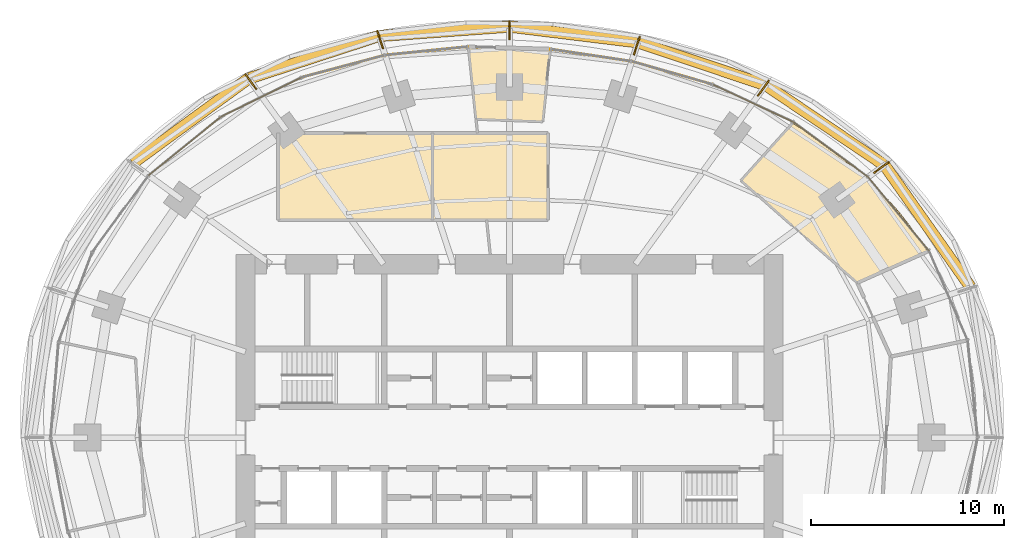
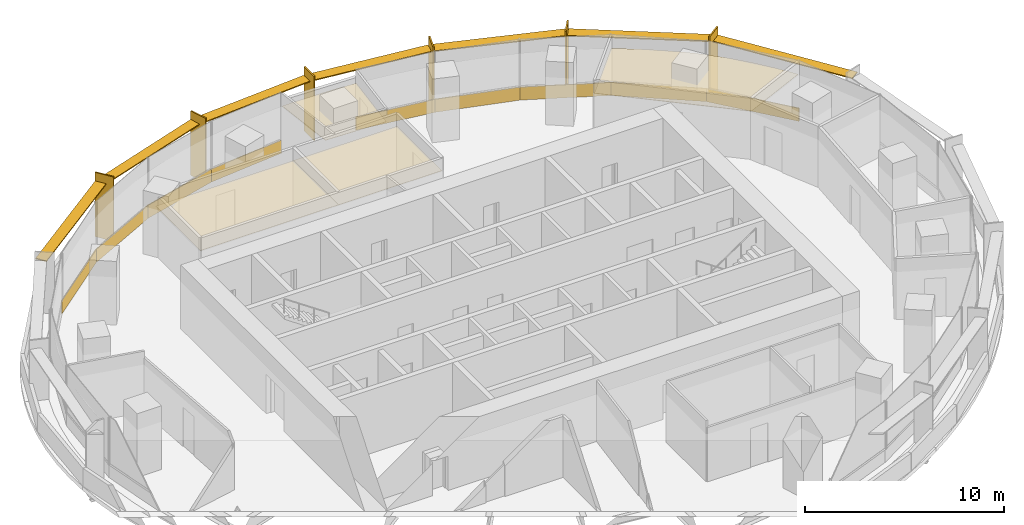
# One storey, part 17 of 17: 13 coverings, 13 shading devices.
"""IFC4 building model written with IfcOpenShell, lengths in metres."""

from ifc_helpers import new_model, si_unit, direction, frame, origin, origin_2d, place, context, subcontext, project, spatial, polyline, rectangle, outline, extrude, material, layer, layer_set, type_object, element, save


model = new_model("IFC4")

# Units and contexts
model_context = context("Model", 3, precision=1e-05, world=origin(), true_north=direction((0.0, 1.0)))
body_context = subcontext(model_context, "Body", "Model", "MODEL_VIEW")
ifc_project = project(units=[si_unit("LENGTHUNIT", "METRE"), si_unit("AREAUNIT", "SQUARE_METRE"), si_unit("VOLUMEUNIT", "CUBIC_METRE"), si_unit("PLANEANGLEUNIT", "RADIAN"), si_unit("MASSUNIT", "GRAM", prefix="KILO")], contexts=[model_context])

# Site, building, storey
site_placement = place(None, origin())
site = spatial("IfcSite", under=ifc_project, at=site_placement, CompositionType="ELEMENT")
building_placement = place(site_placement, origin())
building = spatial("IfcBuilding", under=site, at=building_placement, Name="Marramba Exchange Tower", CompositionType="ELEMENT")
storey_placement = place(building_placement, frame((0.0, 0.0, 172.10009765625)))
storey = spatial("IfcBuildingStorey", under=building, at=storey_placement, Name="L41", CompositionType="ELEMENT", Elevation=172.10009765625)

# Shading devices
ifc_material_1 = material(Name="Aluminium blade, timber-look bronze finish", Category="wood")
ifc_layer_1 = layer(ifc_material_1, 0.080078125)
ifc_layer_set_1 = layer_set([ifc_layer_1], Name="Floor-edge blade 1000x80")
shading_device_type_1 = type_object("IfcShadingDeviceType", Name="Floor-edge blade 1000x80", PredefinedType="USERDEFINED", material=ifc_layer_set_1)
for number, where, z_axis, x_axis, name in (
    (1, (19.298828125, 14.021484375, -0.199951171875), (0.0, 0.0, 1.0), (0.809016994375, 0.587785252292, 0.0), "Floor-edge blade FB1 L41 TC03"),
    (2, (13.176513671875, 18.135986328125, -0.199951171875), (0.0, 0.0, 1.0), (0.587785252292, 0.809016994375, 0.0), "Floor-edge blade FB1 L41 TC04"),
    (3, (6.605712890625, 20.330078125, -0.199951171875), (0.0, 0.0, 1.0), (0.309016994375, 0.951056516295, 0.0), "Floor-edge blade FB1 L41 TC05"),
    (4, (0.0, 21.13623046875, -0.199951171875), (0.0, 0.0, 1.0), (0.0, 1.0, 0.0), "Floor-edge blade FB1 L41 TC06"),
    (5, (-6.7119140625, 20.657470703125, -0.199951171875), (0.0, 0.0, 1.0), (-0.309016994375, 0.951056516295, 0.0), "Floor-edge blade FB1 L41 TC07"),
    (6, (-13.422607421875, 18.474609375, -0.199951171875), (0.0, 0.0, 1.0), (-0.587785252292, 0.809016994375, 0.0), "Floor-edge blade FB1 L41 TC08"),
):
    element("IfcShadingDevice", number, at=place(storey_placement, frame(where, z_axis=z_axis, x_axis=x_axis)), inside=storey, type_object=shading_device_type_1, Name=name, ObjectType="FIN", PredefinedType="USERDEFINED", context=body_context, shape_type="SweptSolid", body=[
        extrude(rectangle(XDim=1.0, YDim=0.080078125, at=origin_2d()), origin(), (0.0, 0.0, 1.0), 3.93994140625),
    ])
ifc_material_2 = material(Name="Aluminium sunshade, bronze anodised", Category="aluminium")
ifc_layer_2 = layer(ifc_material_2, 0.06005859375)
ifc_layer_set_2 = layer_set([ifc_layer_2], Name="SUNSHADE blade 600x60")
shading_device_type_2 = type_object("IfcShadingDeviceType", Name="SUNSHADE blade 600x60", PredefinedType="USERDEFINED", material=ifc_layer_set_2)
shading_device_1_placement = place(storey_placement, frame((21.703857421875, 10.9599609375, 3.159912109375), z_axis=(0.0, 0.0, 1.0), x_axis=(-0.576555118613, 0.81705825692, 0.0)))
element("IfcShadingDevice", 7, at=shading_device_1_placement, inside=storey, type_object=shading_device_type_2, Name="Sunshade SS1 L41 bay 02", ObjectType="SUNSHADE", PredefinedType="USERDEFINED", context=body_context, shape_type="SweptSolid", body=[
    extrude(rectangle(XDim=7.70166015625, YDim=0.60009765625, at=origin_2d()), origin(), (0.0, 0.0, 1.0), 0.06005859375),
])
shading_device_2_placement = place(storey_placement, frame((16.37744140625, 16.218505859375, 3.159912109375), z_axis=(0.0, 0.0, 1.0), x_axis=(-0.829071447151, 0.559142679035, 0.0)))
element("IfcShadingDevice", 8, at=shading_device_2_placement, inside=storey, type_object=shading_device_type_2, Name="Sunshade SS1 L41 bay 03", ObjectType="SUNSHADE", PredefinedType="USERDEFINED", context=body_context, shape_type="SweptSolid", body=[
    extrude(rectangle(XDim=7.35791015625, YDim=0.60009765625, at=origin_2d()), origin(), (0.0, 0.0, 1.0), 0.06005859375),
])
shading_device_3_placement = place(storey_placement, frame((9.980712890625, 19.4091796875, 3.159912109375), z_axis=(0.0, 0.0, 1.0), x_axis=(-0.948096437223, 0.317982933073, 0.0)))
element("IfcShadingDevice", 9, at=shading_device_3_placement, inside=storey, type_object=shading_device_type_2, Name="Sunshade SS1 L41 bay 04", ObjectType="SUNSHADE", PredefinedType="USERDEFINED", context=body_context, shape_type="SweptSolid", body=[
    extrude(rectangle(XDim=6.909423828125, YDim=0.60009765625, at=origin_2d()), origin(), (0.0, 0.0, 1.0), 0.06005859375),
])
shading_device_4_placement = place(storey_placement, frame((3.333740234375, 20.92822265625, 3.159912109375), z_axis=(0.0, 0.0, 1.0), x_axis=(-0.992595256045, 0.121468751853, 0.0)))
element("IfcShadingDevice", 10, at=shading_device_4_placement, inside=storey, type_object=shading_device_type_2, Name="Sunshade SS1 L41 bay 05", ObjectType="SUNSHADE", PredefinedType="USERDEFINED", context=body_context, shape_type="SweptSolid", body=[
    extrude(rectangle(XDim=6.63720703125, YDim=0.60009765625, at=origin_2d()), origin(), (0.0, 0.0, 1.0), 0.06005859375),
])
shading_device_5_placement = place(storey_placement, frame((-3.386962890625, 21.092041015625, 3.159912109375), z_axis=(0.0, 0.0, 1.0), x_axis=(-0.997407641713, -0.071958295234, 0.0)))
element("IfcShadingDevice", 11, at=shading_device_5_placement, inside=storey, type_object=shading_device_type_2, Name="Sunshade SS1 L41 bay 06", ObjectType="SUNSHADE", PredefinedType="USERDEFINED", context=body_context, shape_type="SweptSolid", body=[
    extrude(rectangle(XDim=6.71142578125, YDim=0.60009765625, at=origin_2d()), origin(), (0.0, 0.0, 1.0), 0.06005859375),
])
shading_device_6_placement = place(storey_placement, frame((-10.156982421875, 19.741943359375, 3.159912109375), z_axis=(0.0, 0.0, 1.0), x_axis=(-0.950537602937, -0.310609506297, 0.0)))
element("IfcShadingDevice", 12, at=shading_device_6_placement, inside=storey, type_object=shading_device_type_2, Name="Sunshade SS1 L41 bay 07", ObjectType="SUNSHADE", PredefinedType="USERDEFINED", context=body_context, shape_type="SweptSolid", body=[
    extrude(rectangle(XDim=7.03857421875, YDim=0.60009765625, at=origin_2d()), origin(), (0.0, 0.0, 1.0), 0.06005859375),
])
shading_device_7_placement = place(storey_placement, frame((-16.55810546875, 16.4296875, 3.159912109375), z_axis=(0.0, 0.0, 1.0), x_axis=(-0.80719390073, -0.59028637679, 0.0)))
element("IfcShadingDevice", 13, at=shading_device_7_placement, inside=storey, type_object=shading_device_type_2, Name="Sunshade SS1 L41 bay 08", ObjectType="SUNSHADE", PredefinedType="USERDEFINED", context=body_context, shape_type="SweptSolid", body=[
    extrude(rectangle(XDim=7.3974609375, YDim=0.60009765625, at=origin_2d()), origin(), (0.0, 0.0, 1.0), 0.06005859375),
])

# Coverings
ifc_material_3 = material(Name="Aluminium spandrel panel, bronze anodised, insulated", Category="aluminium")
ifc_layer_3 = layer(ifc_material_3, 0.050048828125)
ifc_layer_set_3 = layer_set([ifc_layer_3], Name="Spandrel panel 800")
covering_type_1 = type_object("IfcCoveringType", Name="Spandrel panel 800", PredefinedType="CLADDING", material=ifc_layer_set_3)
covering_1_placement = place(storey_placement, frame((20.193603515625, 11.608642578125, 0.0), z_axis=(0.0, 0.0, 1.0), x_axis=(-0.637350224586, 0.770574260678, 0.0)))
element("IfcCovering", 14, at=covering_1_placement, inside=storey, type_object=covering_type_1, Name="Spandrel panel SP1 L41 F03", PredefinedType="CLADDING", context=body_context, shape_type="SweptSolid", body=[
    extrude(rectangle(XDim=4.9658203125, YDim=0.050048828125, at=origin_2d()), origin(), (0.0, 0.0, 1.0), 0.800048828125),
])
covering_2_placement = place(storey_placement, frame((16.677001953125, 14.94775390625, 0.0), z_axis=(0.0, 0.0, 1.0), x_axis=(-0.804877256733, 0.593441321104, 0.0)))
element("IfcCovering", 15, at=covering_2_placement, inside=storey, type_object=covering_type_1, Name="Spandrel panel SP1 L41 F04", PredefinedType="CLADDING", context=body_context, shape_type="SweptSolid", body=[
    extrude(rectangle(XDim=4.805908203125, YDim=0.050048828125, at=origin_2d()), origin(), (0.0, 0.0, 1.0), 0.800048828125),
])
covering_3_placement = place(storey_placement, frame((12.65869140625, 17.344482421875, 0.0), z_axis=(0.0, 0.0, 1.0), x_axis=(-0.906533903661, 0.422133014005, 0.0)))
element("IfcCovering", 16, at=covering_3_placement, inside=storey, type_object=covering_type_1, Name="Spandrel panel SP1 L41 F05", PredefinedType="CLADDING", context=body_context, shape_type="SweptSolid", body=[
    extrude(rectangle(XDim=4.5986328125, YDim=0.050048828125, at=origin_2d()), origin(), (0.0, 0.0, 1.0), 0.800048828125),
])
covering_4_placement = place(storey_placement, frame((8.45849609375, 18.91845703125, 0.0), z_axis=(0.0, 0.0, 1.0), x_axis=(-0.961658952783, 0.274248169607, 0.0)))
element("IfcCovering", 17, at=covering_4_placement, inside=storey, type_object=covering_type_1, Name="Spandrel panel SP1 L41 F06", PredefinedType="CLADDING", context=body_context, shape_type="SweptSolid", body=[
    extrude(rectangle(XDim=4.39990234375, YDim=0.050048828125, at=origin_2d()), origin(), (0.0, 0.0, 1.0), 0.800048828125),
])
covering_5_placement = place(storey_placement, frame((4.230712890625, 19.839599609375, 0.0), z_axis=(0.0, 0.0, 1.0), x_axis=(-0.988868065308, 0.148794991224, 0.0)))
element("IfcCovering", 18, at=covering_5_placement, inside=storey, type_object=covering_type_1, Name="Spandrel panel SP1 L41 F07", PredefinedType="CLADDING", context=body_context, shape_type="SweptSolid", body=[
    extrude(rectangle(XDim=4.27197265625, YDim=0.050048828125, at=origin_2d()), origin(), (0.0, 0.0, 1.0), 0.800048828125),
])
covering_6_placement = place(storey_placement, frame((-4.290771484375, 20.06787109375, 0.0), z_axis=(0.0, 0.0, 1.0), x_axis=(-0.994900357732, -0.10086266993, 0.0)))
element("IfcCovering", 19, at=covering_6_placement, inside=storey, type_object=covering_type_1, Name="Spandrel panel SP1 L41 F09", PredefinedType="CLADDING", context=body_context, shape_type="SweptSolid", body=[
    extrude(rectangle(XDim=4.33935546875, YDim=0.050048828125, at=origin_2d()), origin(), (0.0, 0.0, 1.0), 0.800048828125),
])
covering_7_placement = place(storey_placement, frame((-8.620361328125, 19.27001953125, 0.0), z_axis=(0.0, 0.0, 1.0), x_axis=(-0.966240651433, -0.257641230237, 0.0)))
element("IfcCovering", 20, at=covering_7_placement, inside=storey, type_object=covering_type_1, Name="Spandrel panel SP1 L41 F10", PredefinedType="CLADDING", context=body_context, shape_type="SweptSolid", body=[
    extrude(rectangle(XDim=4.49365234375, YDim=0.050048828125, at=origin_2d()), origin(), (0.0, 0.0, 1.0), 0.800048828125),
])
covering_8_placement = place(storey_placement, frame((-12.88818359375, 17.666748046875, 0.0), z_axis=(0.0, 0.0, 1.0), x_axis=(-0.898500520314, -0.438972453572, 0.0)))
element("IfcCovering", 21, at=covering_8_placement, inside=storey, type_object=covering_type_1, Name="Spandrel panel SP1 L41 F11", PredefinedType="CLADDING", context=body_context, shape_type="SweptSolid", body=[
    extrude(rectangle(XDim=4.667236328125, YDim=0.050048828125, at=origin_2d()), origin(), (0.0, 0.0, 1.0), 0.800048828125),
])
covering_9_placement = place(storey_placement, frame((-16.855712890625, 15.1240234375, 0.0), z_axis=(0.0, 0.0, 1.0), x_axis=(-0.776432169123, -0.630200830491, 0.0)))
element("IfcCovering", 22, at=covering_9_placement, inside=storey, type_object=covering_type_1, Name="Spandrel panel SP1 L41 F12", PredefinedType="CLADDING", context=body_context, shape_type="SweptSolid", body=[
    extrude(rectangle(XDim=4.81884765625, YDim=0.050048828125, at=origin_2d()), origin(), (0.0, 0.0, 1.0), 0.800048828125),
])
ifc_material_4 = material(Name="Mineral fibre ceiling tiles", Category="gypsum")
ifc_layer_4 = layer(ifc_material_4, 0.02001953125)
ifc_layer_set_4 = layer_set([ifc_layer_4], Name="Suspended ceiling 20")
covering_type_2 = type_object("IfcCoveringType", Name="Suspended ceiling 20", PredefinedType="CEILING", material=ifc_layer_set_4)
covering_10_placement = place(storey_placement, frame((0.0, 0.0, 2.89990234375)))
element("IfcCovering", 23, at=covering_10_placement, inside=storey, type_object=covering_type_2, Name="Ceiling CL1 L41 Office 1", PredefinedType="CEILING", context=body_context, shape_type="SweptSolid", body=[
    extrude(outline(polyline([(15.695068359375, 15.695068359375), (16.67724609375, 15.016357421875), (17.6298828125, 14.276611328125), (18.54638671875, 13.474853515625), (19.41943359375, 12.611083984375), (19.951904296875, 12.012451171875), (20.24169921875, 11.6865234375), (21.00537109375, 10.70263671875), (21.702880859375, 9.662841796875), (18.048828125, 8.035888671875), (12.012939453125, 13.341796875), (14.689453125, 16.314453125), (15.695068359375, 15.695068359375)])), origin(), (0.0, 0.0, 1.0), 0.02001953125),
])
covering_11_placement = place(storey_placement, frame((0.0, 0.0, 2.89990234375)))
element("IfcCovering", 24, at=covering_11_placement, inside=storey, type_object=covering_type_2, Name="Ceiling CL1 L41 Roof Maintenance Store", PredefinedType="CEILING", context=body_context, shape_type="SweptSolid", body=[
    extrude(outline(polyline([(0.0, 20.206298828125), (1.056396484375, 20.15771484375), (1.982666015625, 20.08740234375), (2.1103515625, 20.077880859375), (1.723388671875, 16.398193359375), (-1.737060546875, 16.52734375), (-2.123779296875, 20.20703125), (-1.059814453125, 20.22314453125), (0.0, 20.206298828125)])), origin(), (0.0, 0.0, 1.0), 0.02001953125),
])
covering_12_placement = place(storey_placement, frame((0.0, 0.0, 2.89990234375)))
element("IfcCovering", 25, at=covering_12_placement, inside=storey, type_object=covering_type_2, Name="Ceiling CL1 L41 Meeting Room 1", PredefinedType="CEILING", context=body_context, shape_type="SweptSolid", body=[
    extrude(outline(polyline([(-4.0, 11.300048828125), (-12.0, 11.300048828125), (-12.0, 15.800048828125), (-4.0, 15.800048828125), (-4.0, 11.300048828125)])), origin(), (0.0, 0.0, 1.0), 0.02001953125),
])
covering_13_placement = place(storey_placement, frame((0.0, 0.0, 2.89990234375)))
element("IfcCovering", 26, at=covering_13_placement, inside=storey, type_object=covering_type_2, Name="Ceiling CL1 L41 Meeting Room 2", PredefinedType="CEILING", context=body_context, shape_type="SweptSolid", body=[
    extrude(outline(polyline([(2.0, 15.800048828125), (2.0, 11.300048828125), (-4.0, 11.300048828125), (-4.0, 15.800048828125), (2.0, 15.800048828125)])), origin(), (0.0, 0.0, 1.0), 0.02001953125),
])

save(model, "model.ifc")
